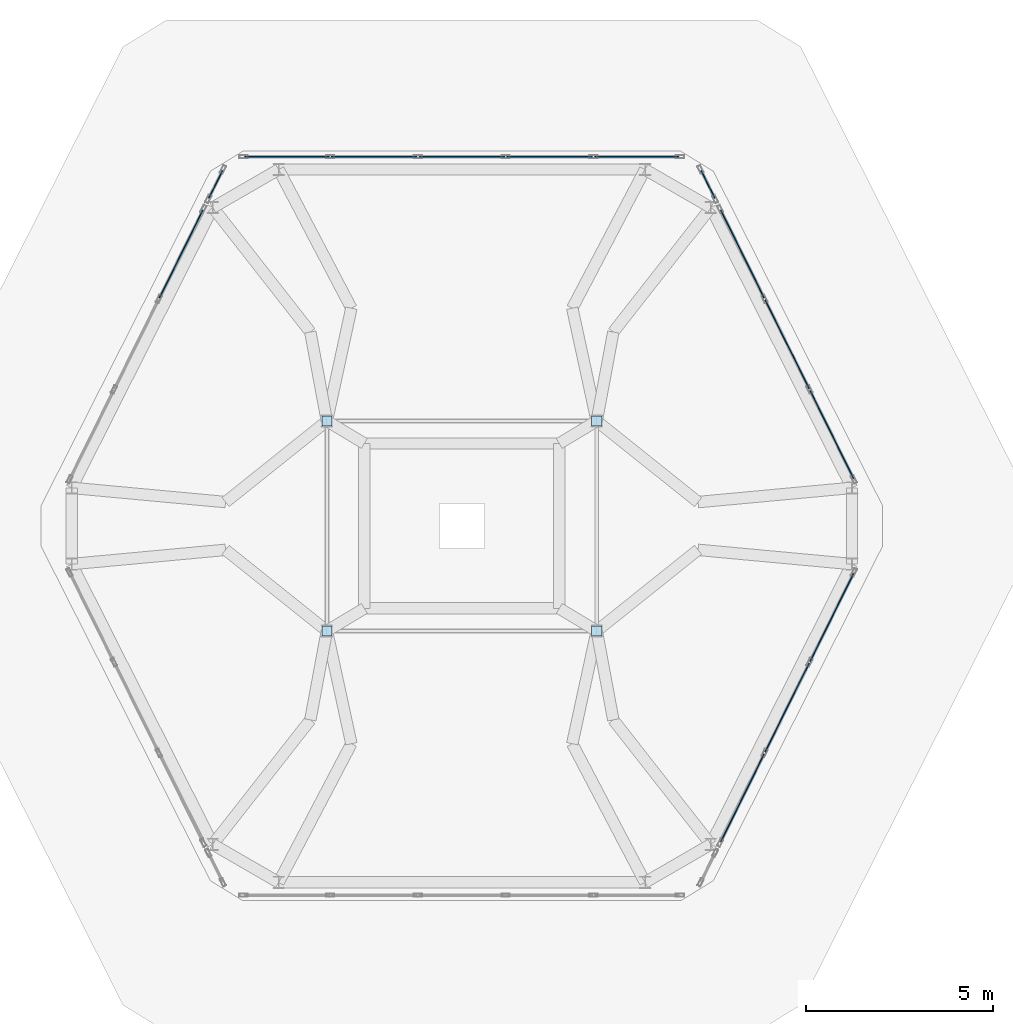
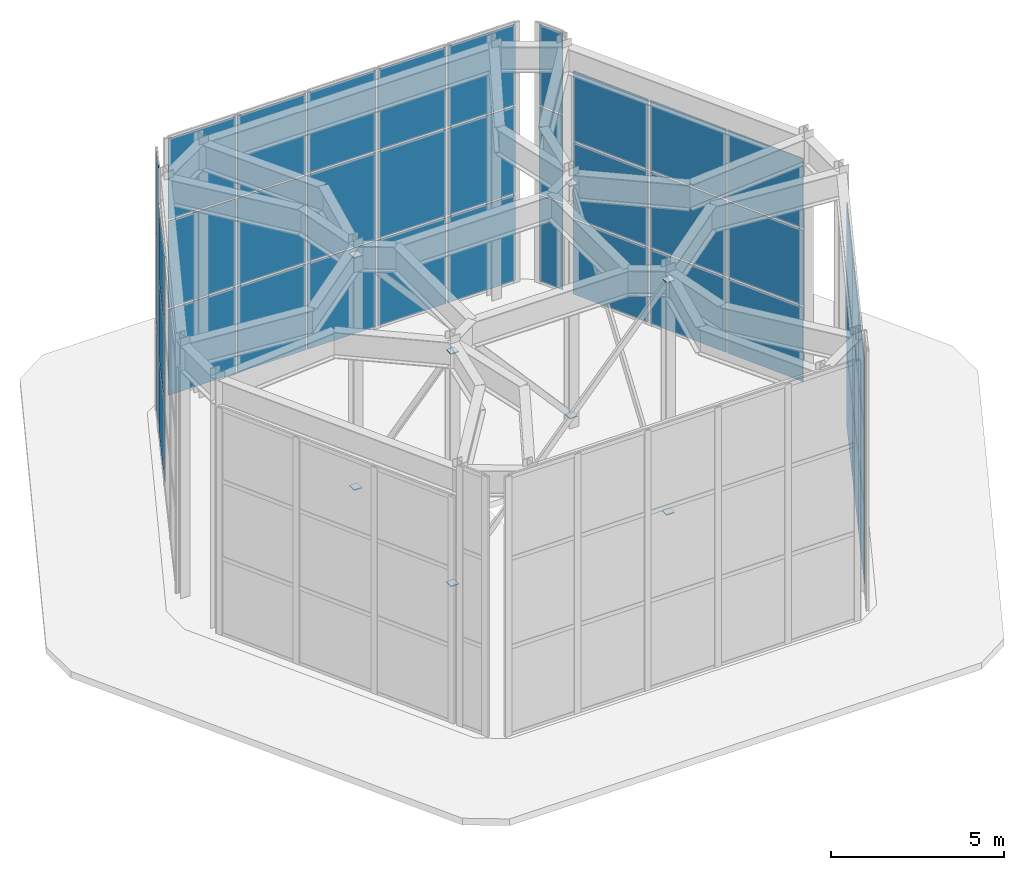
# One storey, part 9 of 9: 50 plates, 6 elements without a shape of their own.
"""IFC4 building model written with IfcOpenShell, lengths in metres."""

from ifc_helpers import new_model, si_unit, direction, frame, origin, origin_2d, place, context, subcontext, project, spatial, rectangle, extrude, material, layer, layer_set, type_object, element, aggregate, save


model = new_model("IFC4")

# Units and contexts
model_context = context("Model", 3, precision=1e-05, world=origin(), true_north=direction((0.0, 1.0)))
body_context = subcontext(model_context, "Body", "Model", "MODEL_VIEW")
ifc_project = project(units=[si_unit("LENGTHUNIT", "METRE"), si_unit("AREAUNIT", "SQUARE_METRE"), si_unit("VOLUMEUNIT", "CUBIC_METRE"), si_unit("PLANEANGLEUNIT", "RADIAN"), si_unit("MASSUNIT", "GRAM", prefix="KILO")], contexts=[model_context])

# Site, building, storey
site_placement = place(None, origin())
site = spatial("IfcSite", under=ifc_project, at=site_placement, CompositionType="ELEMENT")
building_placement = place(site_placement, origin())
building = spatial("IfcBuilding", under=site, at=building_placement, Name="Cinnabar Lancet Tower", CompositionType="ELEMENT")
storey_placement = place(building_placement, frame((0.0, 0.0, 323.85009765625)))
storey = spatial("IfcBuildingStorey", under=building, at=storey_placement, Name="L82", CompositionType="ELEMENT", Elevation=323.85009765625)

# Curtain wall, plates
ifc_material_1 = material(Name="Thermally broken bronze-anodized aluminium and low-E glass", Category="aluminium")
ifc_layer_1 = layer(ifc_material_1, 0.179931640625)
ifc_layer_set_1 = layer_set([ifc_layer_1], Name="Thermally broken bronze-anodized aluminium and low-E glass")
curtain_wall_type = type_object("IfcCurtainWallType", Name="ENV-CW-SYS-06", PredefinedType="NOTDEFINED", material=ifc_layer_set_1)
curtain_wall_1_placement = place(storey_placement, origin())
curtain_wall_1 = element("IfcCurtainWall", 1, at=curtain_wall_1_placement, inside=storey, type_object=curtain_wall_type, Name="L82 Faceted Lancet Crown Curtain Wall 5", PredefinedType="NOTDEFINED")
ifc_material_2 = material(Name="Acoustic solar-control low-E laminated glass unit", Category="glass")
ifc_layer_2 = layer(ifc_material_2, 0.035888671875)
ifc_layer_set_2 = layer_set([ifc_layer_2], Name="Acoustic solar-control low-E laminated glass unit")
plate_type_1 = type_object("IfcPlateType", Name="ENV-CW-PNL-36", PredefinedType="CURTAIN_PANEL", material=ifc_layer_set_2)
plate_1_placement = place(storey_placement, frame((39.887939453125, 18.544189453125, 0.06005859375), z_axis=(0.0, 0.0, 1.0), x_axis=(0.443656863715, 0.896196734695, 0.0)))
plate_1 = element("IfcPlate", 2, at=plate_1_placement, type_object=plate_type_1, Name="CW-06 panel 1.1", PredefinedType="CURTAIN_PANEL", context=body_context, shape_type="SweptSolid", body=[
    extrude(rectangle(XDim=2.61181640625, YDim=0.028076171875, at=origin_2d()), origin(), (0.0, 0.0, 1.0), 2.62890625),
])
plate_2_placement = place(storey_placement, frame((39.887939453125, 18.544189453125, 2.7490234375), z_axis=(0.0, 0.0, 1.0), x_axis=(0.443656863715, 0.896196734695, 0.0)))
plate_2 = element("IfcPlate", 3, at=plate_2_placement, type_object=plate_type_1, Name="CW-06 panel 1.2", PredefinedType="CURTAIN_PANEL", context=body_context, shape_type="SweptSolid", body=[
    extrude(rectangle(XDim=2.61181640625, YDim=0.028076171875, at=origin_2d()), origin(), (0.0, 0.0, 1.0), 2.658935546875),
])
plate_3_placement = place(storey_placement, frame((39.887939453125, 18.544189453125, 5.4677734375), z_axis=(0.0, 0.0, 1.0), x_axis=(0.443656863715, 0.896196734695, 0.0)))
plate_3 = element("IfcPlate", 4, at=plate_3_placement, type_object=plate_type_1, Name="CW-06 panel 1.3", PredefinedType="CURTAIN_PANEL", context=body_context, shape_type="SweptSolid", body=[
    extrude(rectangle(XDim=2.61181640625, YDim=0.028076171875, at=origin_2d()), origin(), (0.0, 0.0, 1.0), 2.468994140625),
])
plate_4_placement = place(storey_placement, frame((41.080078125, 20.951904296875, 0.06005859375), z_axis=(0.0, 0.0, 1.0), x_axis=(0.443656863715, 0.896196734695, 0.0)))
plate_4 = element("IfcPlate", 5, at=plate_4_placement, type_object=plate_type_1, Name="CW-06 panel 2.1", PredefinedType="CURTAIN_PANEL", context=body_context, shape_type="SweptSolid", body=[
    extrude(rectangle(XDim=2.641845703125, YDim=0.028076171875, at=origin_2d()), origin(), (0.0, 0.0, 1.0), 2.62890625),
])
plate_5_placement = place(storey_placement, frame((41.080078125, 20.951904296875, 2.7490234375), z_axis=(0.0, 0.0, 1.0), x_axis=(0.443656863715, 0.896196734695, 0.0)))
plate_5 = element("IfcPlate", 6, at=plate_5_placement, type_object=plate_type_1, Name="CW-06 panel 2.2", PredefinedType="CURTAIN_PANEL", context=body_context, shape_type="SweptSolid", body=[
    extrude(rectangle(XDim=2.641845703125, YDim=0.028076171875, at=origin_2d()), origin(), (0.0, 0.0, 1.0), 2.658935546875),
])
plate_6_placement = place(storey_placement, frame((41.080078125, 20.951904296875, 5.4677734375), z_axis=(0.0, 0.0, 1.0), x_axis=(0.443656863715, 0.896196734695, 0.0)))
plate_6 = element("IfcPlate", 7, at=plate_6_placement, type_object=plate_type_1, Name="CW-06 panel 2.3", PredefinedType="CURTAIN_PANEL", context=body_context, shape_type="SweptSolid", body=[
    extrude(rectangle(XDim=2.641845703125, YDim=0.028076171875, at=origin_2d()), origin(), (0.0, 0.0, 1.0), 2.468994140625),
])
plate_7_placement = place(storey_placement, frame((42.27197265625, 23.35986328125, 0.06005859375), z_axis=(0.0, 0.0, 1.0), x_axis=(0.443656863715, 0.896196734695, 0.0)))
plate_7 = element("IfcPlate", 8, at=plate_7_placement, type_object=plate_type_1, Name="CW-06 panel 3.1", PredefinedType="CURTAIN_PANEL", context=body_context, shape_type="SweptSolid", body=[
    extrude(rectangle(XDim=2.61181640625, YDim=0.028076171875, at=origin_2d()), origin(), (0.0, 0.0, 1.0), 2.62890625),
])
plate_8_placement = place(storey_placement, frame((42.27197265625, 23.35986328125, 2.7490234375), z_axis=(0.0, 0.0, 1.0), x_axis=(0.443656863715, 0.896196734695, 0.0)))
plate_8 = element("IfcPlate", 9, at=plate_8_placement, type_object=plate_type_1, Name="CW-06 panel 3.2", PredefinedType="CURTAIN_PANEL", context=body_context, shape_type="SweptSolid", body=[
    extrude(rectangle(XDim=2.61181640625, YDim=0.028076171875, at=origin_2d()), origin(), (0.0, 0.0, 1.0), 2.658935546875),
])
plate_9_placement = place(storey_placement, frame((42.27197265625, 23.35986328125, 5.4677734375), z_axis=(0.0, 0.0, 1.0), x_axis=(0.443656863715, 0.896196734695, 0.0)))
plate_9 = element("IfcPlate", 10, at=plate_9_placement, type_object=plate_type_1, Name="CW-06 panel 3.3", PredefinedType="CURTAIN_PANEL", context=body_context, shape_type="SweptSolid", body=[
    extrude(rectangle(XDim=2.61181640625, YDim=0.028076171875, at=origin_2d()), origin(), (0.0, 0.0, 1.0), 2.468994140625),
])
aggregate(curtain_wall_1, [plate_1, plate_2, plate_3, plate_4, plate_5, plate_6, plate_7, plate_8, plate_9])

curtain_wall_2_placement = place(storey_placement, origin())
curtain_wall_2 = element("IfcCurtainWall", 11, at=curtain_wall_2_placement, inside=storey, type_object=curtain_wall_type, Name="L82 Faceted Lancet Crown Curtain Wall 9", PredefinedType="NOTDEFINED")
plate_10_placement = place(storey_placement, frame((42.27197265625, 28.239990234375, 0.06005859375), z_axis=(0.0, 0.0, 1.0), x_axis=(-0.443656863715, 0.896196734695, 0.0)))
plate_10 = element("IfcPlate", 12, at=plate_10_placement, type_object=plate_type_1, Name="CW-06 panel 1.1", PredefinedType="CURTAIN_PANEL", context=body_context, shape_type="SweptSolid", body=[
    extrude(rectangle(XDim=2.61181640625, YDim=0.028076171875, at=origin_2d()), origin(), (0.0, 0.0, 1.0), 2.62890625),
])
plate_11_placement = place(storey_placement, frame((42.27197265625, 28.239990234375, 2.7490234375), z_axis=(0.0, 0.0, 1.0), x_axis=(-0.443656863715, 0.896196734695, 0.0)))
plate_11 = element("IfcPlate", 13, at=plate_11_placement, type_object=plate_type_1, Name="CW-06 panel 1.2", PredefinedType="CURTAIN_PANEL", context=body_context, shape_type="SweptSolid", body=[
    extrude(rectangle(XDim=2.61181640625, YDim=0.028076171875, at=origin_2d()), origin(), (0.0, 0.0, 1.0), 2.658935546875),
])
plate_12_placement = place(storey_placement, frame((42.27197265625, 28.239990234375, 5.4677734375), z_axis=(0.0, 0.0, 1.0), x_axis=(-0.443656863715, 0.896196734695, 0.0)))
plate_12 = element("IfcPlate", 14, at=plate_12_placement, type_object=plate_type_1, Name="CW-06 panel 1.3", PredefinedType="CURTAIN_PANEL", context=body_context, shape_type="SweptSolid", body=[
    extrude(rectangle(XDim=2.61181640625, YDim=0.028076171875, at=origin_2d()), origin(), (0.0, 0.0, 1.0), 2.468994140625),
])
plate_13_placement = place(storey_placement, frame((41.080078125, 30.64794921875, 0.06005859375), z_axis=(0.0, 0.0, 1.0), x_axis=(-0.443656863715, 0.896196734695, 0.0)))
plate_13 = element("IfcPlate", 15, at=plate_13_placement, type_object=plate_type_1, Name="CW-06 panel 2.1", PredefinedType="CURTAIN_PANEL", context=body_context, shape_type="SweptSolid", body=[
    extrude(rectangle(XDim=2.641845703125, YDim=0.028076171875, at=origin_2d()), origin(), (0.0, 0.0, 1.0), 2.62890625),
])
plate_14_placement = place(storey_placement, frame((41.080078125, 30.64794921875, 2.7490234375), z_axis=(0.0, 0.0, 1.0), x_axis=(-0.443656863715, 0.896196734695, 0.0)))
plate_14 = element("IfcPlate", 16, at=plate_14_placement, type_object=plate_type_1, Name="CW-06 panel 2.2", PredefinedType="CURTAIN_PANEL", context=body_context, shape_type="SweptSolid", body=[
    extrude(rectangle(XDim=2.641845703125, YDim=0.028076171875, at=origin_2d()), origin(), (0.0, 0.0, 1.0), 2.658935546875),
])
plate_15_placement = place(storey_placement, frame((41.080078125, 30.64794921875, 5.4677734375), z_axis=(0.0, 0.0, 1.0), x_axis=(-0.443656863715, 0.896196734695, 0.0)))
plate_15 = element("IfcPlate", 17, at=plate_15_placement, type_object=plate_type_1, Name="CW-06 panel 2.3", PredefinedType="CURTAIN_PANEL", context=body_context, shape_type="SweptSolid", body=[
    extrude(rectangle(XDim=2.641845703125, YDim=0.028076171875, at=origin_2d()), origin(), (0.0, 0.0, 1.0), 2.468994140625),
])
plate_16_placement = place(storey_placement, frame((39.887939453125, 33.055908203125, 0.06005859375), z_axis=(0.0, 0.0, 1.0), x_axis=(-0.443656863715, 0.896196734695, 0.0)))
plate_16 = element("IfcPlate", 18, at=plate_16_placement, type_object=plate_type_1, Name="CW-06 panel 3.1", PredefinedType="CURTAIN_PANEL", context=body_context, shape_type="SweptSolid", body=[
    extrude(rectangle(XDim=2.61181640625, YDim=0.028076171875, at=origin_2d()), origin(), (0.0, 0.0, 1.0), 2.62890625),
])
plate_17_placement = place(storey_placement, frame((39.887939453125, 33.055908203125, 2.7490234375), z_axis=(0.0, 0.0, 1.0), x_axis=(-0.443656863715, 0.896196734695, 0.0)))
plate_17 = element("IfcPlate", 19, at=plate_17_placement, type_object=plate_type_1, Name="CW-06 panel 3.2", PredefinedType="CURTAIN_PANEL", context=body_context, shape_type="SweptSolid", body=[
    extrude(rectangle(XDim=2.61181640625, YDim=0.028076171875, at=origin_2d()), origin(), (0.0, 0.0, 1.0), 2.658935546875),
])
plate_18_placement = place(storey_placement, frame((39.887939453125, 33.055908203125, 5.4677734375), z_axis=(0.0, 0.0, 1.0), x_axis=(-0.443656863715, 0.896196734695, 0.0)))
plate_18 = element("IfcPlate", 20, at=plate_18_placement, type_object=plate_type_1, Name="CW-06 panel 3.3", PredefinedType="CURTAIN_PANEL", context=body_context, shape_type="SweptSolid", body=[
    extrude(rectangle(XDim=2.61181640625, YDim=0.028076171875, at=origin_2d()), origin(), (0.0, 0.0, 1.0), 2.468994140625),
])
aggregate(curtain_wall_2, [plate_10, plate_11, plate_12, plate_13, plate_14, plate_15, plate_16, plate_17, plate_18])

curtain_wall_3_placement = place(storey_placement, origin())
curtain_wall_3 = element("IfcCurtainWall", 21, at=curtain_wall_3_placement, inside=storey, type_object=curtain_wall_type, Name="L82 Faceted Lancet Crown Curtain Wall 10", PredefinedType="NOTDEFINED")
plate_19_placement = place(storey_placement, frame((38.967041015625, 34.91552734375, 0.06005859375), z_axis=(0.0, 0.0, 1.0), x_axis=(-0.443372602374, 0.896337400461, 0.0)))
plate_19 = element("IfcPlate", 22, at=plate_19_placement, type_object=plate_type_1, Name="CW-06 panel 1.1", PredefinedType="CURTAIN_PANEL", context=body_context, shape_type="SweptSolid", body=[
    extrude(rectangle(XDim=0.818359375, YDim=0.028076171875, at=origin_2d()), origin(), (0.0, 0.0, 1.0), 3.029052734375),
])
plate_20_placement = place(storey_placement, frame((38.967041015625, 34.91552734375, 3.14892578125), z_axis=(0.0, 0.0, 1.0), x_axis=(-0.443372602374, 0.896337400461, 0.0)))
plate_20 = element("IfcPlate", 23, at=plate_20_placement, type_object=plate_type_1, Name="CW-06 panel 1.2", PredefinedType="CURTAIN_PANEL", context=body_context, shape_type="SweptSolid", body=[
    extrude(rectangle(XDim=0.818359375, YDim=0.028076171875, at=origin_2d()), origin(), (0.0, 0.0, 1.0), 3.06005859375),
])
plate_21_placement = place(storey_placement, frame((38.967041015625, 34.91552734375, 6.26904296875), z_axis=(0.0, 0.0, 1.0), x_axis=(-0.443372602374, 0.896337400461, 0.0)))
plate_21 = element("IfcPlate", 24, at=plate_21_placement, type_object=plate_type_1, Name="CW-06 panel 1.3", PredefinedType="CURTAIN_PANEL", context=body_context, shape_type="SweptSolid", body=[
    extrude(rectangle(XDim=0.818359375, YDim=0.028076171875, at=origin_2d()), origin(), (0.0, 0.0, 1.0), 2.845947265625),
])
aggregate(curtain_wall_3, [plate_19, plate_20, plate_21])

curtain_wall_4_placement = place(storey_placement, origin())
curtain_wall_4 = element("IfcCurtainWall", 25, at=curtain_wall_4_placement, inside=storey, type_object=curtain_wall_type, Name="L82 Faceted Lancet Crown Curtain Wall 12", PredefinedType="NOTDEFINED")
plate_22_placement = place(storey_placement, frame((37.068115234375, 35.64990234375, 0.06005859375), z_axis=(0.0, 0.0, 1.0), x_axis=(-1.0, 0.0, 0.0)))
plate_22 = element("IfcPlate", 26, at=plate_22_placement, type_object=plate_type_1, Name="CW-06 panel 1.1", PredefinedType="CURTAIN_PANEL", context=body_context, shape_type="SweptSolid", body=[
    extrude(rectangle(XDim=2.251708984375, YDim=0.028076171875, at=origin_2d()), origin(), (0.0, 0.0, 1.0), 3.029052734375),
])
plate_23_placement = place(storey_placement, frame((37.068115234375, 35.64990234375, 3.14892578125), z_axis=(0.0, 0.0, 1.0), x_axis=(-1.0, 0.0, 0.0)))
plate_23 = element("IfcPlate", 27, at=plate_23_placement, type_object=plate_type_1, Name="CW-06 panel 1.2", PredefinedType="CURTAIN_PANEL", context=body_context, shape_type="SweptSolid", body=[
    extrude(rectangle(XDim=2.251708984375, YDim=0.028076171875, at=origin_2d()), origin(), (0.0, 0.0, 1.0), 3.06005859375),
])
plate_24_placement = place(storey_placement, frame((37.068115234375, 35.64990234375, 6.26904296875), z_axis=(0.0, 0.0, 1.0), x_axis=(-1.0, 0.0, 0.0)))
plate_24 = element("IfcPlate", 28, at=plate_24_placement, type_object=plate_type_1, Name="CW-06 panel 1.3", PredefinedType="CURTAIN_PANEL", context=body_context, shape_type="SweptSolid", body=[
    extrude(rectangle(XDim=2.251708984375, YDim=0.028076171875, at=origin_2d()), origin(), (0.0, 0.0, 1.0), 2.845947265625),
])
plate_25_placement = place(storey_placement, frame((34.74169921875, 35.64990234375, 0.06005859375), z_axis=(0.0, 0.0, 1.0), x_axis=(-1.0, 0.0, 0.0)))
plate_25 = element("IfcPlate", 29, at=plate_25_placement, type_object=plate_type_1, Name="CW-06 panel 2.1", PredefinedType="CURTAIN_PANEL", context=body_context, shape_type="SweptSolid", body=[
    extrude(rectangle(XDim=2.281494140625, YDim=0.028076171875, at=origin_2d()), origin(), (0.0, 0.0, 1.0), 3.029052734375),
])
plate_26_placement = place(storey_placement, frame((34.74169921875, 35.64990234375, 3.14892578125), z_axis=(0.0, 0.0, 1.0), x_axis=(-1.0, 0.0, 0.0)))
plate_26 = element("IfcPlate", 30, at=plate_26_placement, type_object=plate_type_1, Name="CW-06 panel 2.2", PredefinedType="CURTAIN_PANEL", context=body_context, shape_type="SweptSolid", body=[
    extrude(rectangle(XDim=2.281494140625, YDim=0.028076171875, at=origin_2d()), origin(), (0.0, 0.0, 1.0), 3.06005859375),
])
plate_27_placement = place(storey_placement, frame((34.74169921875, 35.64990234375, 6.26904296875), z_axis=(0.0, 0.0, 1.0), x_axis=(-1.0, 0.0, 0.0)))
plate_27 = element("IfcPlate", 31, at=plate_27_placement, type_object=plate_type_1, Name="CW-06 panel 2.3", PredefinedType="CURTAIN_PANEL", context=body_context, shape_type="SweptSolid", body=[
    extrude(rectangle(XDim=2.281494140625, YDim=0.028076171875, at=origin_2d()), origin(), (0.0, 0.0, 1.0), 2.845947265625),
])
plate_28_placement = place(storey_placement, frame((32.39990234375, 35.64990234375, 0.06005859375), z_axis=(0.0, 0.0, 1.0), x_axis=(-1.0, 0.0, 0.0)))
plate_28 = element("IfcPlate", 32, at=plate_28_placement, type_object=plate_type_1, Name="CW-06 panel 3.1", PredefinedType="CURTAIN_PANEL", context=body_context, shape_type="SweptSolid", body=[
    extrude(rectangle(XDim=2.281494140625, YDim=0.028076171875, at=origin_2d()), origin(), (0.0, 0.0, 1.0), 3.029052734375),
])
plate_29_placement = place(storey_placement, frame((32.39990234375, 35.64990234375, 3.14892578125), z_axis=(0.0, 0.0, 1.0), x_axis=(-1.0, 0.0, 0.0)))
plate_29 = element("IfcPlate", 33, at=plate_29_placement, type_object=plate_type_1, Name="CW-06 panel 3.2", PredefinedType="CURTAIN_PANEL", context=body_context, shape_type="SweptSolid", body=[
    extrude(rectangle(XDim=2.281494140625, YDim=0.028076171875, at=origin_2d()), origin(), (0.0, 0.0, 1.0), 3.06005859375),
])
plate_30_placement = place(storey_placement, frame((32.39990234375, 35.64990234375, 6.26904296875), z_axis=(0.0, 0.0, 1.0), x_axis=(-1.0, 0.0, 0.0)))
plate_30 = element("IfcPlate", 34, at=plate_30_placement, type_object=plate_type_1, Name="CW-06 panel 3.3", PredefinedType="CURTAIN_PANEL", context=body_context, shape_type="SweptSolid", body=[
    extrude(rectangle(XDim=2.281494140625, YDim=0.028076171875, at=origin_2d()), origin(), (0.0, 0.0, 1.0), 2.845947265625),
])
plate_31_placement = place(storey_placement, frame((30.058349609375, 35.64990234375, 0.06005859375), z_axis=(0.0, 0.0, 1.0), x_axis=(-1.0, 0.0, 0.0)))
plate_31 = element("IfcPlate", 35, at=plate_31_placement, type_object=plate_type_1, Name="CW-06 panel 4.1", PredefinedType="CURTAIN_PANEL", context=body_context, shape_type="SweptSolid", body=[
    extrude(rectangle(XDim=2.281494140625, YDim=0.028076171875, at=origin_2d()), origin(), (0.0, 0.0, 1.0), 3.029052734375),
])
plate_32_placement = place(storey_placement, frame((30.058349609375, 35.64990234375, 3.14892578125), z_axis=(0.0, 0.0, 1.0), x_axis=(-1.0, 0.0, 0.0)))
plate_32 = element("IfcPlate", 36, at=plate_32_placement, type_object=plate_type_1, Name="CW-06 panel 4.2", PredefinedType="CURTAIN_PANEL", context=body_context, shape_type="SweptSolid", body=[
    extrude(rectangle(XDim=2.281494140625, YDim=0.028076171875, at=origin_2d()), origin(), (0.0, 0.0, 1.0), 3.06005859375),
])
plate_33_placement = place(storey_placement, frame((30.058349609375, 35.64990234375, 6.26904296875), z_axis=(0.0, 0.0, 1.0), x_axis=(-1.0, 0.0, 0.0)))
plate_33 = element("IfcPlate", 37, at=plate_33_placement, type_object=plate_type_1, Name="CW-06 panel 4.3", PredefinedType="CURTAIN_PANEL", context=body_context, shape_type="SweptSolid", body=[
    extrude(rectangle(XDim=2.281494140625, YDim=0.028076171875, at=origin_2d()), origin(), (0.0, 0.0, 1.0), 2.845947265625),
])
plate_34_placement = place(storey_placement, frame((27.731689453125, 35.64990234375, 0.06005859375), z_axis=(0.0, 0.0, 1.0), x_axis=(-1.0, 0.0, 0.0)))
plate_34 = element("IfcPlate", 38, at=plate_34_placement, type_object=plate_type_1, Name="CW-06 panel 5.1", PredefinedType="CURTAIN_PANEL", context=body_context, shape_type="SweptSolid", body=[
    extrude(rectangle(XDim=2.251708984375, YDim=0.028076171875, at=origin_2d()), origin(), (0.0, 0.0, 1.0), 3.029052734375),
])
plate_35_placement = place(storey_placement, frame((27.731689453125, 35.64990234375, 3.14892578125), z_axis=(0.0, 0.0, 1.0), x_axis=(-1.0, 0.0, 0.0)))
plate_35 = element("IfcPlate", 39, at=plate_35_placement, type_object=plate_type_1, Name="CW-06 panel 5.2", PredefinedType="CURTAIN_PANEL", context=body_context, shape_type="SweptSolid", body=[
    extrude(rectangle(XDim=2.251708984375, YDim=0.028076171875, at=origin_2d()), origin(), (0.0, 0.0, 1.0), 3.06005859375),
])
plate_36_placement = place(storey_placement, frame((27.731689453125, 35.64990234375, 6.26904296875), z_axis=(0.0, 0.0, 1.0), x_axis=(-1.0, 0.0, 0.0)))
plate_36 = element("IfcPlate", 40, at=plate_36_placement, type_object=plate_type_1, Name="CW-06 panel 5.3", PredefinedType="CURTAIN_PANEL", context=body_context, shape_type="SweptSolid", body=[
    extrude(rectangle(XDim=2.251708984375, YDim=0.028076171875, at=origin_2d()), origin(), (0.0, 0.0, 1.0), 2.845947265625),
])
aggregate(curtain_wall_4, [plate_22, plate_23, plate_24, plate_25, plate_26, plate_27, plate_28, plate_29, plate_30, plate_31, plate_32, plate_33, plate_34, plate_35, plate_36])

curtain_wall_5_placement = place(storey_placement, origin())
curtain_wall_5 = element("IfcCurtainWall", 41, at=curtain_wall_5_placement, inside=storey, type_object=curtain_wall_type, Name="L82 Faceted Lancet Crown Curtain Wall 14", PredefinedType="NOTDEFINED")
plate_37_placement = place(storey_placement, frame((25.8330078125, 34.91552734375, 0.06005859375), z_axis=(0.0, 0.0, 1.0), x_axis=(-0.443372602374, -0.896337400461, 0.0)))
plate_37 = element("IfcPlate", 42, at=plate_37_placement, type_object=plate_type_1, Name="CW-06 panel 1.1", PredefinedType="CURTAIN_PANEL", context=body_context, shape_type="SweptSolid", body=[
    extrude(rectangle(XDim=0.818359375, YDim=0.028076171875, at=origin_2d()), origin(), (0.0, 0.0, 1.0), 3.029052734375),
])
plate_38_placement = place(storey_placement, frame((25.8330078125, 34.91552734375, 3.14892578125), z_axis=(0.0, 0.0, 1.0), x_axis=(-0.443372602374, -0.896337400461, 0.0)))
plate_38 = element("IfcPlate", 43, at=plate_38_placement, type_object=plate_type_1, Name="CW-06 panel 1.2", PredefinedType="CURTAIN_PANEL", context=body_context, shape_type="SweptSolid", body=[
    extrude(rectangle(XDim=0.818359375, YDim=0.028076171875, at=origin_2d()), origin(), (0.0, 0.0, 1.0), 3.06005859375),
])
plate_39_placement = place(storey_placement, frame((25.8330078125, 34.91552734375, 6.26904296875), z_axis=(0.0, 0.0, 1.0), x_axis=(-0.443372602374, -0.896337400461, 0.0)))
plate_39 = element("IfcPlate", 44, at=plate_39_placement, type_object=plate_type_1, Name="CW-06 panel 1.3", PredefinedType="CURTAIN_PANEL", context=body_context, shape_type="SweptSolid", body=[
    extrude(rectangle(XDim=0.818359375, YDim=0.028076171875, at=origin_2d()), origin(), (0.0, 0.0, 1.0), 2.845947265625),
])
aggregate(curtain_wall_5, [plate_37, plate_38, plate_39])

curtain_wall_6_placement = place(storey_placement, origin())
curtain_wall_6 = element("IfcCurtainWall", 45, at=curtain_wall_6_placement, inside=storey, type_object=curtain_wall_type, Name="L82 Faceted Lancet Crown Curtain Wall 15", PredefinedType="NOTDEFINED")
plate_40_placement = place(storey_placement, frame((24.912109375, 33.055908203125, 0.06005859375), z_axis=(0.0, 0.0, 1.0), x_axis=(-0.443656863715, -0.896196734695, 0.0)))
plate_40 = element("IfcPlate", 46, at=plate_40_placement, type_object=plate_type_1, Name="CW-06 panel 1.1", PredefinedType="CURTAIN_PANEL", context=body_context, shape_type="SweptSolid", body=[
    extrude(rectangle(XDim=2.61181640625, YDim=0.028076171875, at=origin_2d()), origin(), (0.0, 0.0, 1.0), 2.62890625),
])
plate_41_placement = place(storey_placement, frame((24.912109375, 33.055908203125, 2.7490234375), z_axis=(0.0, 0.0, 1.0), x_axis=(-0.443656863715, -0.896196734695, 0.0)))
plate_41 = element("IfcPlate", 47, at=plate_41_placement, type_object=plate_type_1, Name="CW-06 panel 1.2", PredefinedType="CURTAIN_PANEL", context=body_context, shape_type="SweptSolid", body=[
    extrude(rectangle(XDim=2.61181640625, YDim=0.028076171875, at=origin_2d()), origin(), (0.0, 0.0, 1.0), 2.658935546875),
])
plate_42_placement = place(storey_placement, frame((24.912109375, 33.055908203125, 5.4677734375), z_axis=(0.0, 0.0, 1.0), x_axis=(-0.443656863715, -0.896196734695, 0.0)))
plate_42 = element("IfcPlate", 48, at=plate_42_placement, type_object=plate_type_1, Name="CW-06 panel 1.3", PredefinedType="CURTAIN_PANEL", context=body_context, shape_type="SweptSolid", body=[
    extrude(rectangle(XDim=2.61181640625, YDim=0.028076171875, at=origin_2d()), origin(), (0.0, 0.0, 1.0), 2.468994140625),
])
aggregate(curtain_wall_6, [plate_40, plate_41, plate_42])

# Plates
ifc_material_3 = material(Name="Structural steel S460", Category="steel")
ifc_layer_3 = layer(ifc_material_3, 0.030029296875)
ifc_layer_set_3 = layer_set([ifc_layer_3], Name="Structural steel S460")
plate_type_2 = type_object("IfcPlateType", Name="STR-PL-CAP-25", PredefinedType="SHEET", material=ifc_layer_set_3)
for number, where, z_axis, x_axis, name in (
    (49, (28.800048828125, 23.0, 0.32470703125), (0.0, 0.0, 1.0), (-1.0, 0.0, 0.0), "Hollow section end cap plate CP-CRNBRC-L82-1A"),
    (50, (36.0, 23.0, 8.52001953125), (0.0, 0.0, 1.0), (1.0, 0.0, 0.0), "Hollow section end cap plate CP-CRNBRC-L82-1B"),
    (51, (36.0, 23.0, 0.32470703125), (0.0, 0.0, 1.0), (0.0, -1.0, 0.0), "Hollow section end cap plate CP-CRNBRC-L82-2A"),
    (52, (36.0, 28.60009765625, 8.52001953125), (0.0, 0.0, 1.0), (0.0, 1.0, 0.0), "Hollow section end cap plate CP-CRNBRC-L82-2B"),
    (53, (36.0, 28.60009765625, 0.32470703125), (0.0, 0.0, 1.0), (1.0, 0.0, 0.0), "Hollow section end cap plate CP-CRNBRC-L82-3A"),
    (54, (28.800048828125, 28.60009765625, 8.52001953125), (0.0, 0.0, 1.0), (-1.0, 0.0, 0.0), "Hollow section end cap plate CP-CRNBRC-L82-3B"),
    (55, (28.800048828125, 28.60009765625, 0.32470703125), (0.0, 0.0, 1.0), (0.0, 1.0, 0.0), "Hollow section end cap plate CP-CRNBRC-L82-4A"),
    (56, (28.800048828125, 23.0, 8.52001953125), (0.0, 0.0, 1.0), (0.0, -1.0, 0.0), "Hollow section end cap plate CP-CRNBRC-L82-4B"),
):
    element("IfcPlate", number, at=place(storey_placement, frame(where, z_axis=z_axis, x_axis=x_axis)), inside=storey, type_object=plate_type_2, Name=name, PredefinedType="SHEET", context=body_context, shape_type="SweptSolid", body=[
        extrude(rectangle(XDim=0.27001953125, YDim=0.27001953125, at=origin_2d()), origin(), (0.0, 0.0, 1.0), 0.030029296875),
    ])

save(model, "model.ifc")
